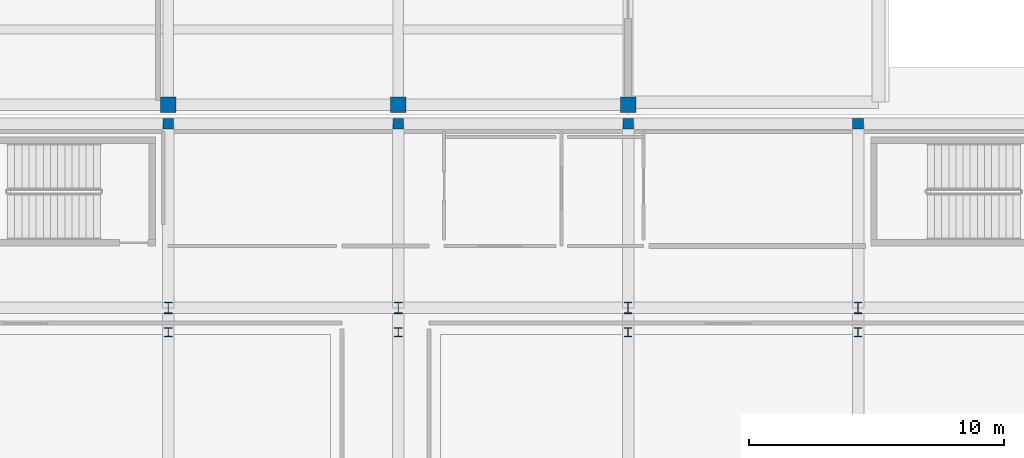
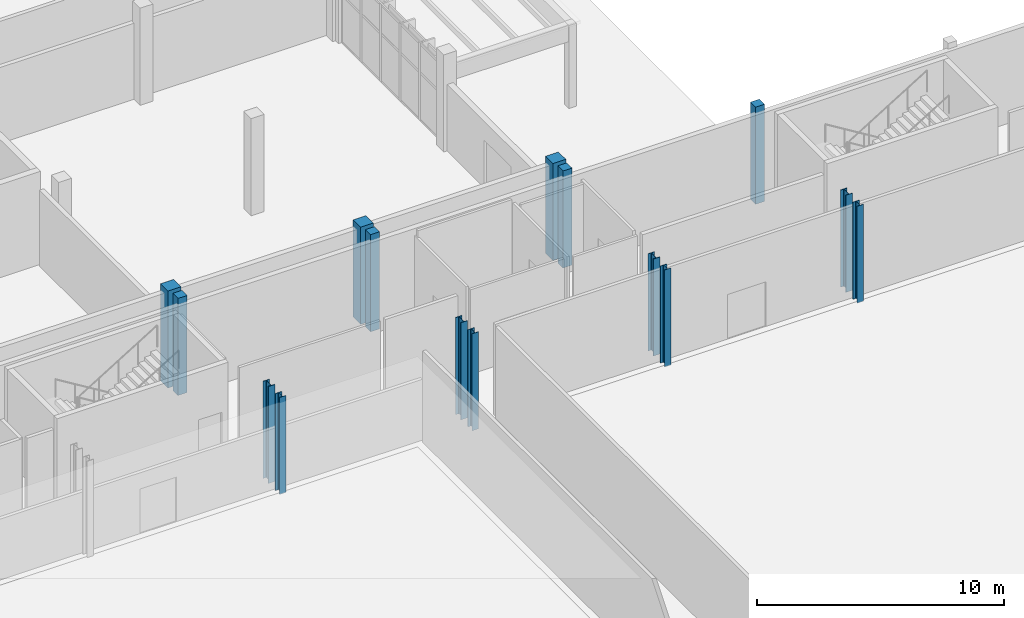
# One storey, part 9 of 151: 15 columns.
"""IFC4 building model written with IfcOpenShell, lengths in metres."""

from ifc_helpers import new_model, si_unit, direction, frame, origin, origin_2d, place, context, subcontext, project, spatial, rectangle, i_section, extrude, material, material_profile, profile_set, type_object, element, save


model = new_model("IFC4")

# Units and contexts
model_context = context("Model", 3, precision=1e-05, world=origin(), true_north=direction((0.0, 1.0)))
body_context = subcontext(model_context, "Body", "Model", "MODEL_VIEW")
ifc_project = project(units=[si_unit("LENGTHUNIT", "METRE"), si_unit("AREAUNIT", "SQUARE_METRE"), si_unit("VOLUMEUNIT", "CUBIC_METRE"), si_unit("PLANEANGLEUNIT", "RADIAN"), si_unit("MASSUNIT", "GRAM", prefix="KILO")], contexts=[model_context])

# Site, building, storey
site_placement = place(None, origin())
site = spatial("IfcSite", under=ifc_project, at=site_placement, CompositionType="ELEMENT")
building_placement = place(site_placement, origin())
building = spatial("IfcBuilding", under=site, at=building_placement, Name="Chiffa Square Polytechnic", CompositionType="ELEMENT")
storey_placement = place(building_placement, origin())
storey = spatial("IfcBuildingStorey", under=building, at=storey_placement, Name="L00", CompositionType="ELEMENT", Elevation=0.0)

# Columns
ifc_material_1 = material(Name="Glulam GL32c", Category="wood")
ifc_material_profile_1 = material_profile(ifc_material_1, rectangle(XDim=0.419921875, YDim=0.419921875, at=origin_2d()), Name="GL32c 420x420")
ifc_profile_set_1 = profile_set([ifc_material_profile_1], Name="Glulam GL32c")
column_type_1 = type_object("IfcColumnType", Name="COL-GL-420", PredefinedType="COLUMN", material=ifc_profile_set_1)
for number, where, z_axis, x_axis, name in (
    (1, (130.199951171875, 94.199951171875, 0.0), (0.0, 0.0, 1.0), (1.0, 0.0, 0.0), "Column C-V2-L00-1302-0942"),
    (2, (139.199951171875, 94.199951171875, 0.0), (0.0, 0.0, 1.0), (1.0, 0.0, 0.0), "Column C-V2-L00-1392-0942"),
    (3, (148.199951171875, 94.199951171875, 0.0), (0.0, 0.0, 1.0), (1.0, 0.0, 0.0), "Column C-V2-L00-1482-0942"),
    (4, (157.199951171875, 94.199951171875, 0.0), (0.0, 0.0, 1.0), (1.0, 0.0, 0.0), "Column C-V2-L00-1572-0942"),
):
    element("IfcColumn", number, at=place(storey_placement, frame(where, z_axis=z_axis, x_axis=x_axis)), inside=storey, type_object=column_type_1, Name=name, PredefinedType="COLUMN", context=body_context, shape_type="SweptSolid", body=[
        extrude(rectangle(XDim=0.419921875, YDim=0.419921875, at=origin_2d()), origin(), (0.0, 0.0, 1.0), 4.800048828125),
    ])
ifc_material_2 = material(Name="Concrete C40/50", Category="concrete")
ifc_material_profile_2 = material_profile(ifc_material_2, rectangle(XDim=0.60009765625, YDim=0.60009765625, at=origin_2d()), Name="RC 600x600")
ifc_profile_set_2 = profile_set([ifc_material_profile_2], Name="Concrete C40/50")
column_type_2 = type_object("IfcColumnType", Name="COL-RC-600", PredefinedType="COLUMN", material=ifc_profile_set_2)
for number, where, z_axis, x_axis, name in (
    (5, (130.199951171875, 94.949951171875, 0.0), (0.0, 0.0, 1.0), (1.0, 0.0, 0.0), "Column C-V5-L00-1302-0950"),
    (6, (139.199951171875, 94.949951171875, 0.0), (0.0, 0.0, 1.0), (1.0, 0.0, 0.0), "Column C-V5-L00-1392-0950"),
    (7, (148.199951171875, 94.949951171875, 0.0), (0.0, 0.0, 1.0), (1.0, 0.0, 0.0), "Column C-V5-L00-1482-0950"),
):
    element("IfcColumn", number, at=place(storey_placement, frame(where, z_axis=z_axis, x_axis=x_axis)), inside=storey, type_object=column_type_2, Name=name, PredefinedType="COLUMN", context=body_context, shape_type="SweptSolid", body=[
        extrude(rectangle(XDim=0.60009765625, YDim=0.60009765625, at=origin_2d()), origin(), (0.0, 0.0, 1.0), 4.800048828125),
    ])
ifc_material_3 = material(Name="Steel S355", Category="steel")
ifc_material_profile_3 = material_profile(ifc_material_3, i_section(OverallWidth=0.300048828125, OverallDepth=0.35009765625, WebThickness=0.010009765625, FlangeThickness=0.017578125, FilletRadius=0.027099609375, at=origin_2d()), Name="HEA 360")
ifc_profile_set_3 = profile_set([ifc_material_profile_3], Name="Steel S355")
column_type_3 = type_object("IfcColumnType", Name="COL-STL-HEA360", PredefinedType="COLUMN", material=ifc_profile_set_3)
for number, where, z_axis, x_axis, name in (
    (8, (130.199951171875, 86.050048828125, 0.0), (0.0, 0.0, 1.0), (1.0, 0.0, 0.0), "Crane stanchion column C-V2-CRN-L00-130-N"),
    (9, (139.199951171875, 86.050048828125, 0.0), (0.0, 0.0, 1.0), (1.0, 0.0, 0.0), "Crane stanchion column C-V2-CRN-L00-139-N"),
    (10, (148.199951171875, 86.050048828125, 0.0), (0.0, 0.0, 1.0), (1.0, 0.0, 0.0), "Crane stanchion column C-V2-CRN-L00-148-N"),
    (11, (157.199951171875, 86.050048828125, 0.0), (0.0, 0.0, 1.0), (1.0, 0.0, 0.0), "Crane stanchion column C-V2-CRN-L00-157-N"),
):
    element("IfcColumn", number, at=place(storey_placement, frame(where, z_axis=z_axis, x_axis=x_axis)), inside=storey, type_object=column_type_3, Name=name, PredefinedType="COLUMN", context=body_context, shape_type="SweptSolid", body=[
        extrude(i_section(OverallWidth=0.300048828125, OverallDepth=0.35009765625, WebThickness=0.010009765625, FlangeThickness=0.017578125, FilletRadius=0.027099609375, at=origin_2d()), origin(), (0.0, 0.0, 1.0), 4.800048828125),
    ])
ifc_material_profile_4 = material_profile(ifc_material_3, i_section(OverallWidth=0.300048828125, OverallDepth=0.449951171875, WebThickness=0.013916015625, FlangeThickness=0.02587890625, FilletRadius=0.027099609375, at=origin_2d()), Name="HEB 450")
ifc_profile_set_4 = profile_set([ifc_material_profile_4], Name="Steel S355")
column_type_4 = type_object("IfcColumnType", Name="COL-STL-HEB450", PredefinedType="COLUMN", material=ifc_profile_set_4)
for number, where, z_axis, x_axis, name in (
    (12, (130.199951171875, 87.0, 0.0), (0.0, 0.0, 1.0), (1.0, 0.0, 0.0), "Column C-V2-L00-1302-0870"),
    (13, (139.199951171875, 87.0, 0.0), (0.0, 0.0, 1.0), (1.0, 0.0, 0.0), "Column C-V2-L00-1392-0870"),
    (14, (148.199951171875, 87.0, 0.0), (0.0, 0.0, 1.0), (1.0, 0.0, 0.0), "Column C-V2-L00-1482-0870"),
    (15, (157.199951171875, 87.0, 0.0), (0.0, 0.0, 1.0), (1.0, 0.0, 0.0), "Column C-V2-L00-1572-0870"),
):
    element("IfcColumn", number, at=place(storey_placement, frame(where, z_axis=z_axis, x_axis=x_axis)), inside=storey, type_object=column_type_4, Name=name, PredefinedType="COLUMN", context=body_context, shape_type="SweptSolid", body=[
        extrude(i_section(OverallWidth=0.300048828125, OverallDepth=0.449951171875, WebThickness=0.013916015625, FlangeThickness=0.02587890625, FilletRadius=0.027099609375, at=origin_2d()), origin(), (0.0, 0.0, 1.0), 4.800048828125),
    ])

save(model, "model.ifc")
